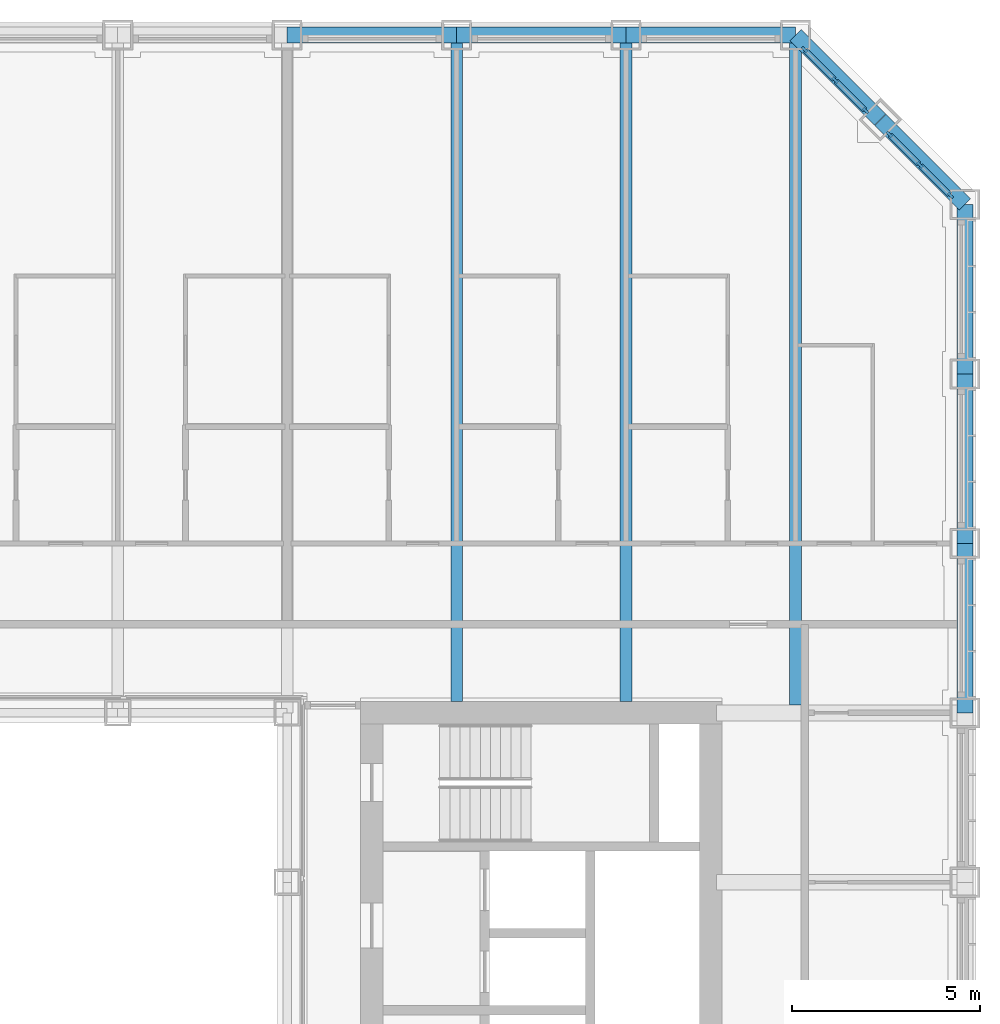
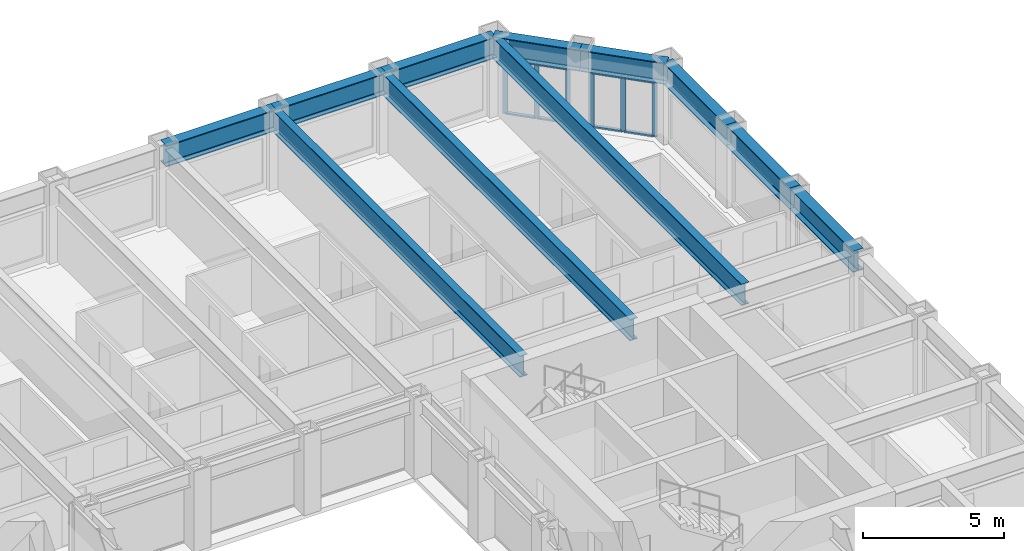
# One storey, part 7 of 21: 14 members, 11 beams, 2 elements without a shape of their own.
"""IFC4 building model written with IfcOpenShell, lengths in metres."""

from ifc_helpers import new_model, si_unit, direction, frame, origin, origin_2d, place, context, subcontext, project, spatial, rectangle, i_section, extrude, material, material_profile, profile_set, type_object, element, aggregate, save


model = new_model("IFC4")

# Units and contexts
model_context = context("Model", 3, precision=1e-05, world=origin(), true_north=direction((0.0, 1.0)))
body_context = subcontext(model_context, "Body", "Model", "MODEL_VIEW")
ifc_project = project(units=[si_unit("LENGTHUNIT", "METRE"), si_unit("AREAUNIT", "SQUARE_METRE"), si_unit("VOLUMEUNIT", "CUBIC_METRE"), si_unit("PLANEANGLEUNIT", "RADIAN"), si_unit("MASSUNIT", "GRAM", prefix="KILO")], contexts=[model_context])

# Site, building, storey
site_placement = place(None, origin())
site = spatial("IfcSite", under=ifc_project, at=site_placement, CompositionType="ELEMENT")
building_placement = place(site_placement, origin())
building = spatial("IfcBuilding", under=site, at=building_placement, Name="Msasa Ring Tower", CompositionType="ELEMENT")
storey_placement = place(building_placement, frame((0.0, 0.0, 68.5)))
storey = spatial("IfcBuildingStorey", under=building, at=storey_placement, Name="L17", CompositionType="ELEMENT", Elevation=68.5)

# Curtain wall, members
ifc_material_1 = material(Name="Aluminium curtain wall with clear glass", Category="aluminium")
curtain_wall_type = type_object("IfcCurtainWallType", Name="CW-C CHAMFER CORNER CURTAIN WALL", PredefinedType="NOTDEFINED", material=ifc_material_1)
curtain_wall_1_placement = place(storey_placement, origin())
curtain_wall_1 = element("IfcCurtainWall", 1, at=curtain_wall_1_placement, inside=storey, type_object=curtain_wall_type, Name="Chamfer corner curtain wall NE L17", PredefinedType="NOTDEFINED")
ifc_material_2 = material(Name="Aluminium mullion", Category="aluminium")
ifc_material_profile_1 = material_profile(ifc_material_2, rectangle(XDim=0.06494140625, YDim=0.179931640625, at=origin_2d()), Name="AL 65x180")
ifc_profile_set_1 = profile_set([ifc_material_profile_1], Name="Aluminium mullion")
member_type_1 = type_object("IfcMemberType", Name="CW-C MULLION 65x180", PredefinedType="MULLION", material=ifc_profile_set_1)
member_1_placement = place(storey_placement, frame((22.119873046875, 22.73876953125, 0.0), z_axis=(0.0, 0.0, 1.0), x_axis=(-0.707106781187, -0.707106781187, 0.0)))
member_1 = element("IfcMember", 2, at=member_1_placement, type_object=member_type_1, Name="CW-C mullion 1", PredefinedType="MULLION", context=body_context, shape_type="SweptSolid", body=[
    extrude(rectangle(XDim=0.06494140625, YDim=0.179931640625, at=origin_2d()), origin(), (0.0, 0.0, 1.0), 2.37890625),
])
member_2_placement = place(storey_placement, frame((21.30419921875, 23.55419921875, 0.0), z_axis=(0.0, 0.0, 1.0), x_axis=(-0.707106781187, -0.707106781187, 0.0)))
member_2 = element("IfcMember", 3, at=member_2_placement, type_object=member_type_1, Name="CW-C mullion 2", PredefinedType="MULLION", context=body_context, shape_type="SweptSolid", body=[
    extrude(rectangle(XDim=0.06494140625, YDim=0.179931640625, at=origin_2d()), origin(), (0.0, 0.0, 1.0), 2.37890625),
])
member_3_placement = place(storey_placement, frame((20.48876953125, 24.369873046875, 0.0), z_axis=(0.0, 0.0, 1.0), x_axis=(-0.707106781187, -0.707106781187, 0.0)))
member_3 = element("IfcMember", 4, at=member_3_placement, type_object=member_type_1, Name="CW-C mullion 3", PredefinedType="MULLION", context=body_context, shape_type="SweptSolid", body=[
    extrude(rectangle(XDim=0.06494140625, YDim=0.179931640625, at=origin_2d()), origin(), (0.0, 0.0, 1.0), 2.37890625),
])

curtain_wall_2_placement = place(storey_placement, origin())
curtain_wall_2 = element("IfcCurtainWall", 5, at=curtain_wall_2_placement, inside=storey, type_object=curtain_wall_type, Name="Chamfer corner curtain wall NE L17", PredefinedType="NOTDEFINED")
member_4_placement = place(storey_placement, frame((24.369873046875, 20.48876953125, 0.0), z_axis=(0.0, 0.0, 1.0), x_axis=(-0.707106781187, -0.707106781187, 0.0)))
member_4 = element("IfcMember", 6, at=member_4_placement, type_object=member_type_1, Name="CW-C mullion 1", PredefinedType="MULLION", context=body_context, shape_type="SweptSolid", body=[
    extrude(rectangle(XDim=0.06494140625, YDim=0.179931640625, at=origin_2d()), origin(), (0.0, 0.0, 1.0), 2.37890625),
])
member_5_placement = place(storey_placement, frame((23.55419921875, 21.30419921875, 0.0), z_axis=(0.0, 0.0, 1.0), x_axis=(-0.707106781187, -0.707106781187, 0.0)))
member_5 = element("IfcMember", 7, at=member_5_placement, type_object=member_type_1, Name="CW-C mullion 2", PredefinedType="MULLION", context=body_context, shape_type="SweptSolid", body=[
    extrude(rectangle(XDim=0.06494140625, YDim=0.179931640625, at=origin_2d()), origin(), (0.0, 0.0, 1.0), 2.37890625),
])
member_6_placement = place(storey_placement, frame((22.73876953125, 22.119873046875, 0.0), z_axis=(0.0, 0.0, 1.0), x_axis=(-0.707106781187, -0.707106781187, 0.0)))
member_6 = element("IfcMember", 8, at=member_6_placement, type_object=member_type_1, Name="CW-C mullion 3", PredefinedType="MULLION", context=body_context, shape_type="SweptSolid", body=[
    extrude(rectangle(XDim=0.06494140625, YDim=0.179931640625, at=origin_2d()), origin(), (0.0, 0.0, 1.0), 2.37890625),
])

# Member
ifc_material_3 = material(Name="Aluminium transom", Category="aluminium")
ifc_material_profile_2 = material_profile(ifc_material_3, rectangle(XDim=0.139892578125, YDim=0.06494140625, at=origin_2d()), Name="AL 65x140")
ifc_profile_set_2 = profile_set([ifc_material_profile_2], Name="Aluminium transom")
member_type_2 = type_object("IfcMemberType", Name="CW-C TRANSOM 65x140", PredefinedType="USERDEFINED", material=ifc_profile_set_2)
member_7_placement = place(storey_placement, frame((22.096923828125, 22.76171875, 0.032470703125), z_axis=(-0.707106781187, 0.707106781187, 0.0), x_axis=(-0.707106781187, -0.707106781187, 0.0)))
member_7 = element("IfcMember", 9, at=member_7_placement, type_object=member_type_2, Name="CW-C transom 1.1", ObjectType="TRANSOM", PredefinedType="USERDEFINED", context=body_context, shape_type="SweptSolid", body=[
    extrude(rectangle(XDim=0.139892578125, YDim=0.06494140625, at=origin_2d()), origin(), (0.0, 0.0, 1.0), 1.08837890625),
])

member_8_placement = place(storey_placement, frame((22.096923828125, 22.76171875, 2.346435546875), z_axis=(-0.707106781187, 0.707106781187, 0.0), x_axis=(-0.707106781187, -0.707106781187, 0.0)))
member_8 = element("IfcMember", 10, at=member_8_placement, type_object=member_type_2, Name="CW-C transom 1.2", ObjectType="TRANSOM", PredefinedType="USERDEFINED", context=body_context, shape_type="SweptSolid", body=[
    extrude(rectangle(XDim=0.139892578125, YDim=0.06494140625, at=origin_2d()), origin(), (0.0, 0.0, 1.0), 1.08837890625),
])

member_9_placement = place(storey_placement, frame((21.28125, 23.577392578125, 0.032470703125), z_axis=(-0.707106781187, 0.707106781187, 0.0), x_axis=(-0.707106781187, -0.707106781187, 0.0)))
member_9 = element("IfcMember", 11, at=member_9_placement, type_object=member_type_2, Name="CW-C transom 2.1", ObjectType="TRANSOM", PredefinedType="USERDEFINED", context=body_context, shape_type="SweptSolid", body=[
    extrude(rectangle(XDim=0.139892578125, YDim=0.06494140625, at=origin_2d()), origin(), (0.0, 0.0, 1.0), 1.08837890625),
])

member_10_placement = place(storey_placement, frame((21.28125, 23.577392578125, 2.346435546875), z_axis=(-0.707106781187, 0.707106781187, 0.0), x_axis=(-0.707106781187, -0.707106781187, 0.0)))
member_10 = element("IfcMember", 12, at=member_10_placement, type_object=member_type_2, Name="CW-C transom 2.2", ObjectType="TRANSOM", PredefinedType="USERDEFINED", context=body_context, shape_type="SweptSolid", body=[
    extrude(rectangle(XDim=0.139892578125, YDim=0.06494140625, at=origin_2d()), origin(), (0.0, 0.0, 1.0), 1.08837890625),
])

aggregate(curtain_wall_1, [member_1, member_2, member_3, member_7, member_8, member_9, member_10])

member_11_placement = place(storey_placement, frame((24.346923828125, 20.51171875, 0.032470703125), z_axis=(-0.707106781187, 0.707106781187, 0.0), x_axis=(-0.707106781187, -0.707106781187, 0.0)))
member_11 = element("IfcMember", 13, at=member_11_placement, type_object=member_type_2, Name="CW-C transom 1.1", ObjectType="TRANSOM", PredefinedType="USERDEFINED", context=body_context, shape_type="SweptSolid", body=[
    extrude(rectangle(XDim=0.139892578125, YDim=0.06494140625, at=origin_2d()), origin(), (0.0, 0.0, 1.0), 1.08837890625),
])

member_12_placement = place(storey_placement, frame((24.346923828125, 20.51171875, 2.346435546875), z_axis=(-0.707106781187, 0.707106781187, 0.0), x_axis=(-0.707106781187, -0.707106781187, 0.0)))
member_12 = element("IfcMember", 14, at=member_12_placement, type_object=member_type_2, Name="CW-C transom 1.2", ObjectType="TRANSOM", PredefinedType="USERDEFINED", context=body_context, shape_type="SweptSolid", body=[
    extrude(rectangle(XDim=0.139892578125, YDim=0.06494140625, at=origin_2d()), origin(), (0.0, 0.0, 1.0), 1.08837890625),
])

member_13_placement = place(storey_placement, frame((23.53125, 21.327392578125, 0.032470703125), z_axis=(-0.707106781187, 0.707106781187, 0.0), x_axis=(-0.707106781187, -0.707106781187, 0.0)))
member_13 = element("IfcMember", 15, at=member_13_placement, type_object=member_type_2, Name="CW-C transom 2.1", ObjectType="TRANSOM", PredefinedType="USERDEFINED", context=body_context, shape_type="SweptSolid", body=[
    extrude(rectangle(XDim=0.139892578125, YDim=0.06494140625, at=origin_2d()), origin(), (0.0, 0.0, 1.0), 1.08837890625),
])

member_14_placement = place(storey_placement, frame((23.53125, 21.327392578125, 2.346435546875), z_axis=(-0.707106781187, 0.707106781187, 0.0), x_axis=(-0.707106781187, -0.707106781187, 0.0)))
member_14 = element("IfcMember", 16, at=member_14_placement, type_object=member_type_2, Name="CW-C transom 2.2", ObjectType="TRANSOM", PredefinedType="USERDEFINED", context=body_context, shape_type="SweptSolid", body=[
    extrude(rectangle(XDim=0.139892578125, YDim=0.06494140625, at=origin_2d()), origin(), (0.0, 0.0, 1.0), 1.08837890625),
])

aggregate(curtain_wall_2, [member_4, member_5, member_6, member_11, member_12, member_13, member_14])

# Beams
ifc_material_4 = material(Name="Steel S355", Category="steel")
ifc_material_profile_3 = material_profile(ifc_material_4, i_section(OverallWidth=0.3076171875, OverallDepth=0.926513671875, WebThickness=0.01953125, FlangeThickness=0.031982421875, FilletRadius=0.01904296875, at=origin_2d()), Name="UB 914x305x289")
ifc_profile_set_3 = profile_set([ifc_material_profile_3], Name="Steel S355")
beam_type_1 = type_object("IfcBeamType", Name="FB3 UB 914x305x289", PredefinedType="BEAM", material=ifc_profile_set_3)
for number, where, z_axis, x_axis, name in (
    (17, (11.25, 24.75, 2.836669921875), (0.0, -1.0, 0.0), (1.0, 0.0, 0.0), "Floor beam N+11.25 under L18"),
    (18, (15.75, 24.75, 2.836669921875), (0.0, -1.0, 0.0), (1.0, 0.0, 0.0), "Floor beam N+15.75 under L18"),
):
    element("IfcBeam", number, at=place(storey_placement, frame(where, z_axis=z_axis, x_axis=x_axis)), inside=storey, type_object=beam_type_1, Name=name, PredefinedType="BEAM", context=body_context, shape_type="SweptSolid", body=[
        extrude(i_section(OverallWidth=0.3076171875, OverallDepth=0.926513671875, WebThickness=0.01953125, FlangeThickness=0.031982421875, FilletRadius=0.01904296875, at=origin_2d()), origin(), (0.0, 0.0, 1.0), 17.699951171875),
    ])
beam_placement = place(storey_placement, frame((20.25, 24.75, 2.836669921875), z_axis=(0.0, -1.0, 0.0), x_axis=(1.0, 0.0, 0.0)))
element("IfcBeam", 19, at=beam_placement, inside=storey, type_object=beam_type_1, Name="Floor beam N+20.25 under L18", PredefinedType="BEAM", context=body_context, shape_type="SweptSolid", body=[
    extrude(i_section(OverallWidth=0.3076171875, OverallDepth=0.926513671875, WebThickness=0.01953125, FlangeThickness=0.031982421875, FilletRadius=0.01904296875, at=origin_2d()), origin(), (0.0, 0.0, 1.0), 17.789794921875),
])
ifc_material_5 = material(Name="Steel S355", Category="steel")
ifc_material_profile_4 = material_profile(ifc_material_5, i_section(OverallWidth=0.42041015625, OverallDepth=0.9208984375, WebThickness=0.021484375, FlangeThickness=0.03662109375, FilletRadius=0.024169921875, at=origin_2d()), Name="UB 914x419x388")
ifc_profile_set_4 = profile_set([ifc_material_profile_4], Name="Steel S355")
beam_type_2 = type_object("IfcBeamType", Name="SB1 UB 914x419x388", PredefinedType="SPANDREL", material=ifc_profile_set_4)
for number, where, z_axis, x_axis, name in (
    (20, (24.75, 6.75, 2.839599609375), (0.0, 1.0, 0.0), (-1.0, 0.0, 0.0), "Spandrel E+6.75 to E+11.25 under L18"),
    (21, (24.75, 11.25, 2.839599609375), (0.0, 1.0, 0.0), (-1.0, 0.0, 0.0), "Spandrel E+11.25 to E+15.75 under L18"),
    (22, (24.75, 15.75, 2.839599609375), (0.0, 1.0, 0.0), (-1.0, 0.0, 0.0), "Spandrel E+15.75 to E+20.25 under L18"),
):
    element("IfcBeam", number, at=place(storey_placement, frame(where, z_axis=z_axis, x_axis=x_axis)), inside=storey, type_object=beam_type_2, Name=name, PredefinedType="SPANDREL", context=body_context, shape_type="SweptSolid", body=[
        extrude(i_section(OverallWidth=0.42041015625, OverallDepth=0.9208984375, WebThickness=0.021484375, FlangeThickness=0.03662109375, FilletRadius=0.024169921875, at=origin_2d()), origin(), (0.0, 0.0, 1.0), 4.5),
    ])
for number, where, z_axis, x_axis, name in (
    (23, (24.75, 20.25, 2.839599609375), (-0.707106781187, 0.707106781187, 0.0), (-0.707106781187, -0.707106781187, 0.0), "Spandrel E+20.25 to NE under L18"),
    (24, (22.5, 22.5, 2.839599609375), (-0.707106781187, 0.707106781187, 0.0), (-0.707106781187, -0.707106781187, 0.0), "Spandrel NE to N+20.25 under L18"),
):
    element("IfcBeam", number, at=place(storey_placement, frame(where, z_axis=z_axis, x_axis=x_axis)), inside=storey, type_object=beam_type_2, Name=name, PredefinedType="SPANDREL", context=body_context, shape_type="SweptSolid", body=[
        extrude(i_section(OverallWidth=0.42041015625, OverallDepth=0.9208984375, WebThickness=0.021484375, FlangeThickness=0.03662109375, FilletRadius=0.024169921875, at=origin_2d()), origin(), (0.0, 0.0, 1.0), 3.181884765625),
    ])
for number, where, z_axis, x_axis, name in (
    (25, (20.25, 24.75, 2.839599609375), (-1.0, 0.0, 0.0), (0.0, -1.0, 0.0), "Spandrel N+20.25 to N+15.75 under L18"),
    (26, (15.75, 24.75, 2.839599609375), (-1.0, 0.0, 0.0), (0.0, -1.0, 0.0), "Spandrel N+15.75 to N+11.25 under L18"),
    (27, (11.25, 24.75, 2.839599609375), (-1.0, 0.0, 0.0), (0.0, -1.0, 0.0), "Spandrel N+11.25 to N+6.75 under L18"),
):
    element("IfcBeam", number, at=place(storey_placement, frame(where, z_axis=z_axis, x_axis=x_axis)), inside=storey, type_object=beam_type_2, Name=name, PredefinedType="SPANDREL", context=body_context, shape_type="SweptSolid", body=[
        extrude(i_section(OverallWidth=0.42041015625, OverallDepth=0.9208984375, WebThickness=0.021484375, FlangeThickness=0.03662109375, FilletRadius=0.024169921875, at=origin_2d()), origin(), (0.0, 0.0, 1.0), 4.5),
    ])

save(model, "model.ifc")
